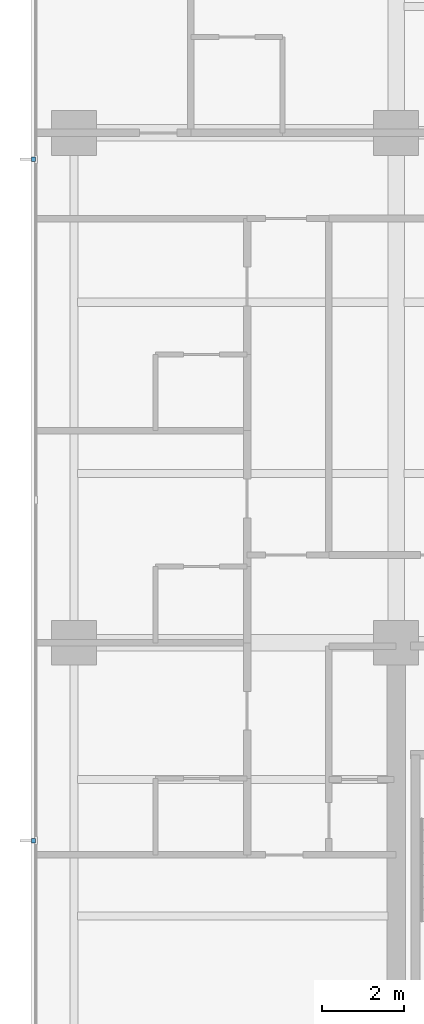
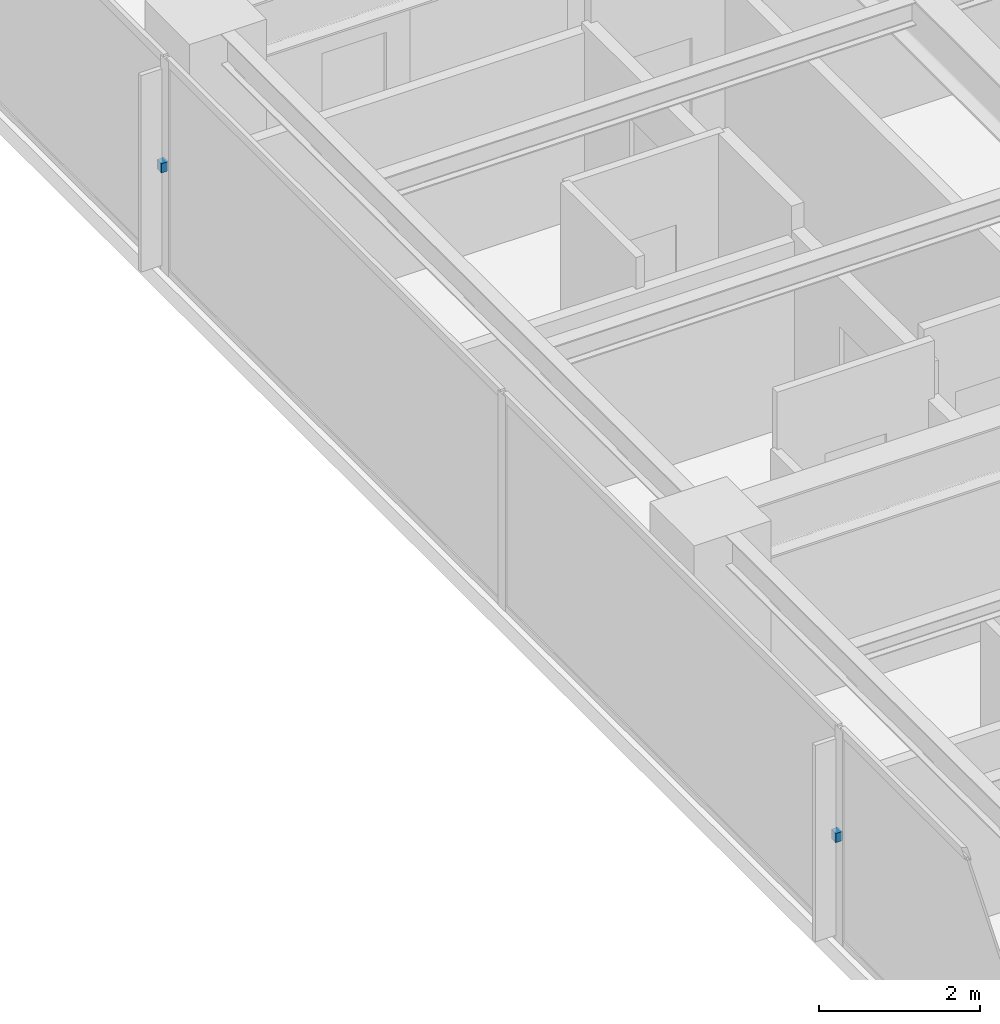
# One storey, part 12 of 15: 2 discrete accessories.
"""IFC4 building model written with IfcOpenShell, lengths in metres."""

from ifc_helpers import new_model, si_unit, direction, frame, origin, place, context, subcontext, project, spatial, polyline, outline, extrude, material, type_object, element, save


model = new_model("IFC4")

# Units and contexts
model_context = context("Model", 3, precision=1e-05, world=origin(), true_north=direction((0.0, 1.0)))
body_context = subcontext(model_context, "Body", "Model", "MODEL_VIEW")
ifc_project = project(units=[si_unit("LENGTHUNIT", "METRE"), si_unit("AREAUNIT", "SQUARE_METRE"), si_unit("VOLUMEUNIT", "CUBIC_METRE"), si_unit("PLANEANGLEUNIT", "RADIAN"), si_unit("MASSUNIT", "GRAM", prefix="KILO")], contexts=[model_context])

# Site, building, storey
site_placement = place(None, origin())
site = spatial("IfcSite", under=ifc_project, at=site_placement, CompositionType="ELEMENT")
building_placement = place(site_placement, origin())
building = spatial("IfcBuilding", under=site, at=building_placement, Name="Qalmaran Belvedere Hotel", CompositionType="ELEMENT")
storey_placement = place(building_placement, frame((0.0, 0.0, 142.10009765625)))
storey = spatial("IfcBuildingStorey", under=building, at=storey_placement, Name="L35", CompositionType="ELEMENT", Elevation=142.10009765625)

# Discrete accessories
ifc_material = material(Name="Stainless Steel 1.4401", Category="steel")
discrete_accessory_type = type_object("IfcDiscreteAccessoryType", Name="BRK-FIN-SS316", PredefinedType="BRACKET", material=ifc_material)
discrete_accessory_1_placement = place(storey_placement, frame((0.0, 0.0, 1.574951171875)))
element("IfcDiscreteAccessory", 1, at=discrete_accessory_1_placement, inside=storey, type_object=discrete_accessory_type, Name="L35 Fin Bracket 1", PredefinedType="BRACKET", context=body_context, shape_type="SweptSolid", body=[
    extrude(outline(polyline([(11.455078125, 32.405029296875), (11.360107421875, 32.405029296875), (11.360107421875, 32.294921875), (11.455078125, 32.294921875), (11.455078125, 32.405029296875)])), origin(), (0.0, 0.0, 1.0), 0.139892578125),
])
discrete_accessory_2_placement = place(storey_placement, frame((0.0, 0.0, 1.574951171875)))
element("IfcDiscreteAccessory", 2, at=discrete_accessory_2_placement, inside=storey, type_object=discrete_accessory_type, Name="L35 Fin Bracket 3", PredefinedType="BRACKET", context=body_context, shape_type="SweptSolid", body=[
    extrude(outline(polyline([(11.455078125, 15.705078125), (11.360107421875, 15.705078125), (11.360107421875, 15.594970703125), (11.455078125, 15.594970703125), (11.455078125, 15.705078125)])), origin(), (0.0, 0.0, 1.0), 0.139892578125),
])

save(model, "model.ifc")
